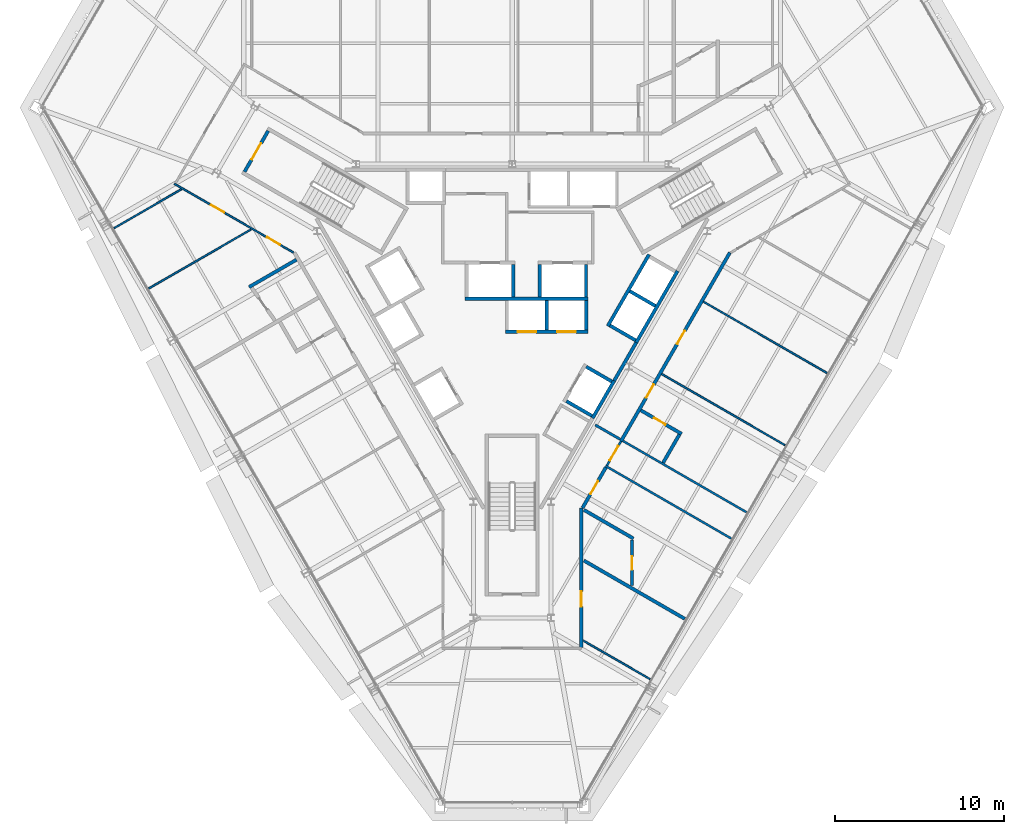
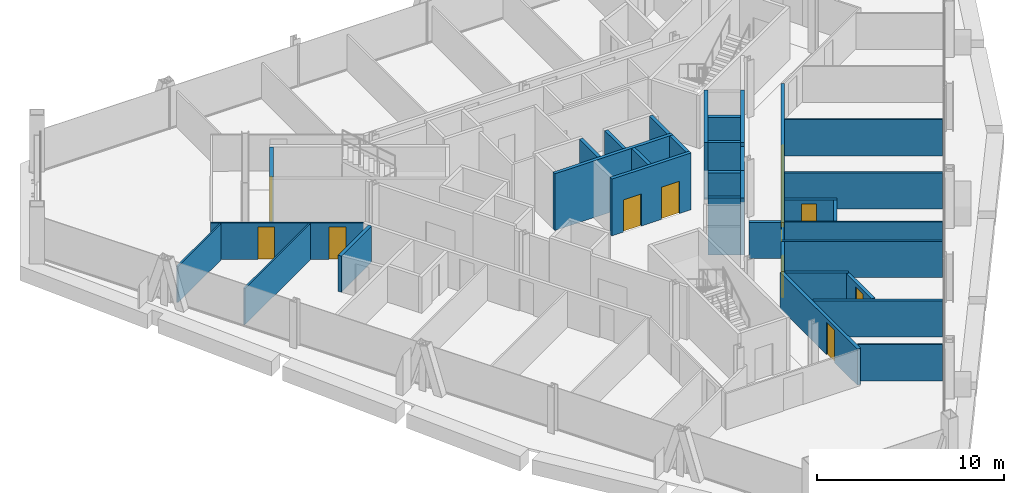
# One storey, part 10 of 14: 35 walls, 12 doors, 12 openings.
"""IFC4 building model written with IfcOpenShell, lengths in metres."""

from ifc_helpers import new_model, si_unit, direction, frame, frame_2d, origin, place, context, subcontext, project, spatial, rectangle, extrude, material, layer, layer_set, type_object, element, fill, save


model = new_model("IFC4")

# Units and contexts
model_context = context("Model", 3, precision=1e-05, world=origin(), true_north=direction((0.0, 1.0)))
body_context = subcontext(model_context, "Body", "Model", "MODEL_VIEW")
ifc_project = project(units=[si_unit("LENGTHUNIT", "METRE"), si_unit("AREAUNIT", "SQUARE_METRE"), si_unit("VOLUMEUNIT", "CUBIC_METRE"), si_unit("PLANEANGLEUNIT", "RADIAN"), si_unit("MASSUNIT", "GRAM", prefix="KILO")], contexts=[model_context])

# Site, building, storey
site_placement = place(None, origin())
site = spatial("IfcSite", under=ifc_project, at=site_placement, CompositionType="ELEMENT")
building_placement = place(site_placement, origin())
building = spatial("IfcBuilding", under=site, at=building_placement, Name="Verrane Prism Tower", CompositionType="ELEMENT")
storey_placement = place(building_placement, frame((0.0, 0.0, 196.89990234375)))
storey = spatial("IfcBuildingStorey", under=building, at=storey_placement, Name="L49", CompositionType="ELEMENT", Elevation=196.89990234375)

# Wall
ifc_material_1 = material(Name="Gypsum board partition", Category="other")
ifc_layer_1 = layer(ifc_material_1, 0.199951171875)
ifc_layer_set_1 = layer_set([ifc_layer_1], Name="CW-200 core boundary wall 2 h")
wall_type_1 = type_object("IfcWallType", Name="CW-200 core boundary wall 2 h", PredefinedType="PARTITIONING", material=ifc_layer_set_1)
wall_1_placement = place(storey_placement, frame((6.0419921875, -4.85498046875, 0.0), z_axis=(0.0, 0.0, 1.0), x_axis=(0.500252727967, 0.865879442048, 0.0)))
element("IfcWall", 1, at=wall_1_placement, inside=storey, type_object=wall_type_1, Name="Core boundary wall CW3-007", PredefinedType="PARTITIONING", context=body_context, shape_type="SweptSolid", body=[
    extrude(rectangle(XDim=2.616943359375, YDim=0.199951171875, at=frame_2d((1.30859375, 0.0))), origin(), (0.0, 0.0, 1.0), 3.4501953125),
])

# Wall, opening, door
ifc_material_2 = material(Name="Concrete C40/50", Category="concrete")
ifc_layer_2 = layer(ifc_material_2, 0.199951171875)
ifc_layer_set_2 = layer_set([ifc_layer_2], Name="CW-200 stair core wall concrete C40/50 3 h")
wall_type_2 = type_object("IfcWallType", Name="CW-200 stair core wall concrete C40/50 3 h", PredefinedType="PARTITIONING", material=ifc_layer_set_2)
wall_2_placement = place(storey_placement, frame((-14.455322265625, 9.96240234375, 0.0), z_axis=(0.0, 0.0, 1.0), x_axis=(-0.500049511043, -0.865996816683, 0.0)))
wall_2 = element("IfcWall", 2, at=wall_2_placement, inside=storey, type_object=wall_type_2, Name="Stair 2 enclosure wall", PredefinedType="PARTITIONING", context=body_context, shape_type="SweptSolid", body=[
    extrude(rectangle(XDim=2.800048828125, YDim=0.199951171875, at=frame_2d((1.39990234375, 0.0))), origin(), (0.0, 0.0, 1.0), 3.4501953125),
])
opening_1_placement = place(wall_2_placement, frame((0.849853515625, 0.0, 0.0)))
opening_1 = element("IfcOpeningElement", 3, at=opening_1_placement, cuts=wall_2, Name="Opening D47501", PredefinedType="OPENING", context=body_context, shape_type="SweptSolid", body=[
    extrude(rectangle(XDim=1.10009765625, YDim=2.10009765625, at=frame_2d((0.550048828125, 1.050048828125))), frame((0.0, 0.10986328125, 0.0), z_axis=(0.0, -1.0, 0.0), x_axis=(1.0, 0.0, 0.0)), (0.0, 0.0, 1.0), 0.219970703125),
])
ifc_material_3 = material(Name="Timber veneered door leaf", Category="wood")
door_type_1 = type_object("IfcDoorType", Name="DR-1100x2100 FD90 single leaf stair", OperationType="NOTDEFINED", PredefinedType="DOOR", material=ifc_material_3)
door_1_placement = place(opening_1_placement, origin())
door_1 = element("IfcDoor", 4, at=door_1_placement, inside=storey, type_object=door_type_1, Name="Stair 2 door", OperationType="SINGLE_SWING_RIGHT", OverallHeight=2.10009765625, OverallWidth=1.10009765625, PredefinedType="DOOR", context=body_context, shape_type="SweptSolid", body=[
    extrude(rectangle(XDim=1.10009765625, YDim=2.10009765625, at=frame_2d((0.550048828125, 1.050048828125))), frame((0.0, 0.02490234375, 0.0), z_axis=(0.0, -1.0, 0.0), x_axis=(1.0, 0.0, 0.0)), (0.0, 0.0, 1.0), 0.050048828125),
])
fill(opening_1, door_1)

# Wall, openings, doors
ifc_material_4 = material(Name="Gypsum board shaft wall assembly", Category="other")
ifc_layer_3 = layer(ifc_material_4, 0.199951171875)
ifc_layer_set_3 = layer_set([ifc_layer_3], Name="HW-200 lift shaft wall 2 h")
wall_type_3 = type_object("IfcWallType", Name="HW-200 lift shaft wall 2 h", PredefinedType="PARTITIONING", material=ifc_layer_set_3)
wall_3_placement = place(storey_placement, frame((-0.405029296875, -1.949951171875, 0.0), z_axis=(0.0, 0.0, 1.0), x_axis=(1.0, 0.0, 0.0)))
wall_3 = element("IfcWall", 5, at=wall_3_placement, inside=storey, type_object=wall_type_3, Name="Lift shaft wall", PredefinedType="PARTITIONING", context=body_context, shape_type="SweptSolid", body=[
    extrude(rectangle(XDim=4.900146484375, YDim=0.199951171875, at=frame_2d((2.4501953125, 0.0))), origin(), (0.0, 0.0, 1.0), 3.7001953125),
])
opening_2_placement = place(wall_3_placement, frame((0.72509765625, 0.0, 0.0)))
opening_2 = element("IfcOpeningElement", 6, at=opening_2_placement, cuts=wall_3, Name="Opening D47503", PredefinedType="OPENING", context=body_context, shape_type="SweptSolid", body=[
    extrude(rectangle(XDim=1.10009765625, YDim=2.10009765625, at=frame_2d((0.550048828125, 1.050048828125))), frame((0.0, 0.10986328125, 0.0), z_axis=(0.0, -1.0, 0.0), x_axis=(1.0, 0.0, 0.0)), (0.0, 0.0, 1.0), 0.219970703125),
])
opening_3_placement = place(wall_3_placement, frame((3.074951171875, 0.0, 0.0)))
opening_3 = element("IfcOpeningElement", 7, at=opening_3_placement, cuts=wall_3, Name="Opening D47504", PredefinedType="OPENING", context=body_context, shape_type="SweptSolid", body=[
    extrude(rectangle(XDim=1.10009765625, YDim=2.10009765625, at=frame_2d((0.550048828125, 1.050048828125))), frame((0.0, 0.10986328125, 0.0), z_axis=(0.0, -1.0, 0.0), x_axis=(1.0, 0.0, 0.0)), (0.0, 0.0, 1.0), 0.219970703125),
])
ifc_material_5 = material(Name="Stainless steel sliding landing door", Category="steel")
door_type_2 = type_object("IfcDoorType", Name="LD-1100x2100 lift landing door FD90 sliding", OperationType="NOTDEFINED", PredefinedType="DOOR", material=ifc_material_5)
door_2_placement = place(opening_2_placement, origin())
door_2 = element("IfcDoor", 8, at=door_2_placement, inside=storey, type_object=door_type_2, Name="Bank B lift 1 landing door", OperationType="SLIDING_TO_LEFT", OverallHeight=2.10009765625, OverallWidth=1.10009765625, PredefinedType="DOOR", context=body_context, shape_type="SweptSolid", body=[
    extrude(rectangle(XDim=1.10009765625, YDim=2.10009765625, at=frame_2d((0.550048828125, 1.050048828125))), frame((0.0, 0.02490234375, 0.0), z_axis=(0.0, -1.0, 0.0), x_axis=(1.0, 0.0, 0.0)), (0.0, 0.0, 1.0), 0.050048828125),
])
fill(opening_2, door_2)
door_3_placement = place(opening_3_placement, origin())
door_3 = element("IfcDoor", 9, at=door_3_placement, inside=storey, type_object=door_type_2, Name="Bank B lift 2 landing door", OperationType="SLIDING_TO_RIGHT", OverallHeight=2.10009765625, OverallWidth=1.10009765625, PredefinedType="DOOR", context=body_context, shape_type="SweptSolid", body=[
    extrude(rectangle(XDim=1.10009765625, YDim=2.10009765625, at=frame_2d((0.550048828125, 1.050048828125))), frame((0.0, 0.02490234375, 0.0), z_axis=(0.0, -1.0, 0.0), x_axis=(1.0, 0.0, 0.0)), (0.0, 0.0, 1.0), 0.050048828125),
])
fill(opening_3, door_3)

# Walls
wall_4_placement = place(storey_placement, frame((-2.784912109375, 0.0, 0.0), z_axis=(0.0, 0.0, 1.0), x_axis=(1.0, 0.0, 0.0)))
element("IfcWall", 10, at=wall_4_placement, inside=storey, type_object=wall_type_3, Name="Lift shaft wall", PredefinedType="PARTITIONING", context=body_context, shape_type="SweptSolid", body=[
    extrude(rectangle(XDim=7.280029296875, YDim=0.199951171875, at=frame_2d((3.64013671875, 0.0))), origin(), (0.0, 0.0, 1.0), 3.7001953125),
])
wall_5_placement = place(storey_placement, frame((4.766357421875, -7.064697265625, 0.0), z_axis=(0.0, 0.0, 1.0), x_axis=(0.499948979701, 0.866054858364, 0.0)))
element("IfcWall", 11, at=wall_5_placement, inside=storey, type_object=wall_type_3, Name="Lift shaft wall", PredefinedType="PARTITIONING", context=body_context, shape_type="SweptSolid", body=[
    extrude(rectangle(XDim=2.550048828125, YDim=0.199951171875, at=frame_2d((1.27490234375, 0.0))), origin(), (0.0, 0.0, 1.0), 3.7001953125),
])
wall_6_placement = place(storey_placement, frame((7.351318359375, -2.587158203125, 0.0), z_axis=(0.0, 0.0, 1.0), x_axis=(0.500002801628, 0.866023786258, 0.0)))
element("IfcWall", 12, at=wall_6_placement, inside=storey, type_object=wall_type_3, Name="Lift shaft wall", PredefinedType="PARTITIONING", context=body_context, shape_type="SweptSolid", body=[
    extrude(rectangle(XDim=4.89990234375, YDim=0.199951171875, at=frame_2d((2.449951171875, 0.0))), origin(), (0.0, 0.0, 1.0), 3.7001953125),
])
wall_7_placement = place(storey_placement, frame((5.66259765625, -1.6123046875, 0.0), z_axis=(0.0, 0.0, 1.0), x_axis=(0.49998122708, 0.866036242063, 0.0)))
element("IfcWall", 13, at=wall_7_placement, inside=storey, type_object=wall_type_3, Name="Lift shaft wall", PredefinedType="PARTITIONING", context=body_context, shape_type="SweptSolid", body=[
    extrude(rectangle(XDim=4.900146484375, YDim=0.199951171875, at=frame_2d((2.4501953125, 0.0))), origin(), (0.0, 0.0, 1.0), 3.7001953125),
])
wall_8_placement = place(storey_placement, frame((4.39501953125, -1.85009765625, 0.0), z_axis=(0.0, 0.0, 1.0), x_axis=(0.0, 1.0, 0.0)))
element("IfcWall", 14, at=wall_8_placement, inside=storey, type_object=wall_type_3, Name="Lift shaft wall", PredefinedType="PARTITIONING", context=body_context, shape_type="SweptSolid", body=[
    extrude(rectangle(XDim=1.75, YDim=0.199951171875, at=frame_2d((0.875, 0.0))), origin(), (0.0, 0.0, 1.0), 3.7001953125),
])
wall_9_placement = place(storey_placement, frame((4.375, 0.10009765625, 0.0), z_axis=(0.0, 0.0, 1.0), x_axis=(0.0, 1.0, 0.0)))
element("IfcWall", 15, at=wall_9_placement, inside=storey, type_object=wall_type_3, Name="Lift shaft wall", PredefinedType="PARTITIONING", context=body_context, shape_type="SweptSolid", body=[
    extrude(rectangle(XDim=1.949951171875, YDim=0.199951171875, at=frame_2d((0.97509765625, 0.0))), origin(), (0.0, 0.0, 1.0), 3.7001953125),
])
wall_10_placement = place(storey_placement, frame((2.044921875, -1.85009765625, 0.0), z_axis=(0.0, 0.0, 1.0), x_axis=(0.0, 1.0, 0.0)))
element("IfcWall", 16, at=wall_10_placement, inside=storey, type_object=wall_type_3, Name="Lift shaft wall", PredefinedType="PARTITIONING", context=body_context, shape_type="SweptSolid", body=[
    extrude(rectangle(XDim=1.75, YDim=0.199951171875, at=frame_2d((0.875, 0.0))), origin(), (0.0, 0.0, 1.0), 3.7001953125),
])
for number, where, z_axis, x_axis, name in (
    (17, (1.625, 0.10009765625, 0.0), (0.0, 0.0, 1.0), (0.0, 1.0, 0.0), "Lift shaft wall"),
    (18, (0.06494140625, 0.10009765625, 0.0), (0.0, 0.0, 1.0), (0.0, 1.0, 0.0), "Lift shaft wall"),
):
    element("IfcWall", number, at=place(storey_placement, frame(where, z_axis=z_axis, x_axis=x_axis)), inside=storey, type_object=wall_type_3, Name=name, PredefinedType="PARTITIONING", context=body_context, shape_type="SweptSolid", body=[
        extrude(rectangle(XDim=1.949951171875, YDim=0.199951171875, at=frame_2d((0.97509765625, 0.0))), origin(), (0.0, 0.0, 1.0), 3.7001953125),
    ])
for number, where, z_axis, x_axis, name in (
    (19, (8.48974609375, -0.41552734375, 0.0), (0.0, 0.0, 1.0), (-0.866036909293, 0.499980071345, 0.0), "Lift shaft wall"),
    (20, (7.314697265625, -2.45068359375, 0.0), (0.0, 0.0, 1.0), (-0.866036909293, 0.499980071345, 0.0), "Lift shaft wall"),
):
    element("IfcWall", number, at=place(storey_placement, frame(where, z_axis=z_axis, x_axis=x_axis)), inside=storey, type_object=wall_type_3, Name=name, PredefinedType="PARTITIONING", context=body_context, shape_type="SweptSolid", body=[
        extrude(rectangle(XDim=1.75, YDim=0.199951171875, at=frame_2d((0.875, 0.0))), origin(), (0.0, 0.0, 1.0), 3.7001953125),
    ])
wall_11_placement = place(storey_placement, frame((5.904541015625, -4.892822265625, 0.0), z_axis=(0.0, 0.0, 1.0), x_axis=(-0.866002029911, 0.500040482552, 0.0)))
element("IfcWall", 21, at=wall_11_placement, inside=storey, type_object=wall_type_3, Name="Lift shaft wall", PredefinedType="PARTITIONING", context=body_context, shape_type="SweptSolid", body=[
    extrude(rectangle(XDim=1.749755859375, YDim=0.199951171875, at=frame_2d((0.875, 0.0))), origin(), (0.0, 0.0, 1.0), 3.7001953125),
])
wall_12_placement = place(storey_placement, frame((4.729736328125, -6.927978515625, 0.0), z_axis=(0.0, 0.0, 1.0), x_axis=(-0.866036909293, 0.499980071345, 0.0)))
element("IfcWall", 22, at=wall_12_placement, inside=storey, type_object=wall_type_3, Name="Lift shaft wall", PredefinedType="PARTITIONING", context=body_context, shape_type="SweptSolid", body=[
    extrude(rectangle(XDim=1.75, YDim=0.199951171875, at=frame_2d((0.875, 0.0))), origin(), (0.0, 0.0, 1.0), 3.7001953125),
])
ifc_material_6 = material(Name="Gypsum board partition", Category="other")
ifc_layer_4 = layer(ifc_material_6, 0.10009765625)
ifc_layer_set_4 = layer_set([ifc_layer_4], Name="PW-100 room partition")
wall_type_4 = type_object("IfcWallType", Name="PW-100 room partition", PredefinedType="PARTITIONING", material=ifc_layer_set_4)
wall_13_placement = place(storey_placement, frame((-23.591796875, 4.19189453125, 0.0), z_axis=(0.0, 0.0, 1.0), x_axis=(0.866056775574, 0.499945658529, 0.0)))
element("IfcWall", 23, at=wall_13_placement, inside=storey, type_object=wall_type_4, Name="Room partition 001", PredefinedType="PARTITIONING", context=body_context, shape_type="SweptSolid", body=[
    extrude(rectangle(XDim=4.60791015625, YDim=0.10009765625, at=frame_2d((2.303955078125, 0.0))), origin(), (0.0, 0.0, 1.0), 2.362060546875),
])
wall_14_placement = place(storey_placement, frame((-21.529541015625, 0.6201171875, 0.0), z_axis=(0.0, 0.0, 1.0), x_axis=(0.865986079307, 0.500068105808, 0.0)))
element("IfcWall", 24, at=wall_14_placement, inside=storey, type_object=wall_type_4, Name="Room partition 002", PredefinedType="PARTITIONING", context=body_context, shape_type="SweptSolid", body=[
    extrude(rectangle(XDim=6.990234375, YDim=0.10009765625, at=frame_2d((3.4951171875, 0.0))), origin(), (0.0, 0.0, 1.0), 2.362060546875),
])

# Wall, openings, doors
wall_15_placement = place(storey_placement, frame((-12.95166015625, 2.744384765625, 0.0), z_axis=(0.0, 0.0, 1.0), x_axis=(-0.86608949446, 0.499888975259, 0.0)))
wall_15 = element("IfcWall", 25, at=wall_15_placement, inside=storey, type_object=wall_type_4, Name="Room partition 004", PredefinedType="PARTITIONING", context=body_context, shape_type="SweptSolid", body=[
    extrude(rectangle(XDim=8.164794921875, YDim=0.10009765625, at=frame_2d((4.08251953125, 0.0))), origin(), (0.0, 0.0, 1.0), 2.362060546875),
])
opening_4_placement = place(wall_15_placement, frame((4.740966796875, 0.0, 0.0)))
opening_4 = element("IfcOpeningElement", 26, at=opening_4_placement, cuts=wall_15, Name="Opening D47019", PredefinedType="OPENING", context=body_context, shape_type="SweptSolid", body=[
    extrude(rectangle(XDim=0.89990234375, YDim=2.10009765625, at=frame_2d((0.449951171875, 1.050048828125))), frame((0.0, 0.06005859375, 0.0), z_axis=(0.0, -1.0, 0.0), x_axis=(1.0, 0.0, 0.0)), (0.0, 0.0, 1.0), 0.1201171875),
])
opening_5_placement = place(wall_15_placement, frame((0.927978515625, 0.0, 0.0)))
opening_5 = element("IfcOpeningElement", 27, at=opening_5_placement, cuts=wall_15, Name="Opening D47020", PredefinedType="OPENING", context=body_context, shape_type="SweptSolid", body=[
    extrude(rectangle(XDim=0.89990234375, YDim=2.10009765625, at=frame_2d((0.449951171875, 1.050048828125))), frame((0.0, 0.06005859375, 0.0), z_axis=(0.0, -1.0, 0.0), x_axis=(1.0, 0.0, 0.0)), (0.0, 0.0, 1.0), 0.1201171875),
])
ifc_material_7 = material(Name="Timber veneered door leaf", Category="wood")
door_type_3 = type_object("IfcDoorType", Name="DR-900x2100 single leaf inner", OperationType="NOTDEFINED", PredefinedType="DOOR", material=ifc_material_7)
door_4_placement = place(opening_5_placement, origin())
door_4 = element("IfcDoor", 28, at=door_4_placement, inside=storey, type_object=door_type_3, Name="Master Bedroom door", OperationType="SINGLE_SWING_LEFT", OverallHeight=2.10009765625, OverallWidth=0.89990234375, PredefinedType="DOOR", context=body_context, shape_type="SweptSolid", body=[
    extrude(rectangle(XDim=0.89990234375, YDim=2.10009765625, at=frame_2d((0.449951171875, 1.050048828125))), frame((0.0, 0.02490234375, 0.0), z_axis=(0.0, -1.0, 0.0), x_axis=(1.0, 0.0, 0.0)), (0.0, 0.0, 1.0), 0.050048828125),
])
fill(opening_5, door_4)
ifc_material_8 = material(Name="Timber veneered door leaf", Category="wood")
door_type_4 = type_object("IfcDoorType", Name="DR-900x2100 single leaf unit", OperationType="NOTDEFINED", PredefinedType="DOOR", material=ifc_material_8)
door_5_placement = place(opening_4_placement, origin())
door_5 = element("IfcDoor", 29, at=door_5_placement, inside=storey, type_object=door_type_4, Name="Kitchen door", OperationType="SINGLE_SWING_RIGHT", OverallHeight=2.10009765625, OverallWidth=0.89990234375, PredefinedType="DOOR", context=body_context, shape_type="SweptSolid", body=[
    extrude(rectangle(XDim=0.89990234375, YDim=2.10009765625, at=frame_2d((0.449951171875, 1.050048828125))), frame((0.0, 0.02490234375, 0.0), z_axis=(0.0, -1.0, 0.0), x_axis=(1.0, 0.0, 0.0)), (0.0, 0.0, 1.0), 0.050048828125),
])
fill(opening_4, door_5)

# Walls
wall_16_placement = place(storey_placement, frame((4.22509765625, -20.252197265625, 0.0), z_axis=(0.0, 0.0, 1.0), x_axis=(0.866048884701, -0.499959327653, 0.0)))
element("IfcWall", 30, at=wall_16_placement, inside=storey, type_object=wall_type_4, Name="Room partition 028", PredefinedType="PARTITIONING", context=body_context, shape_type="SweptSolid", body=[
    extrude(rectangle(XDim=4.55029296875, YDim=0.10009765625, at=frame_2d((2.275146484375, 0.0))), origin(), (0.0, 0.0, 1.0), 2.362060546875),
])
wall_17_placement = place(storey_placement, frame((8.868896484375, -4.451416015625, 0.0), z_axis=(0.0, 0.0, 1.0), x_axis=(0.866027858276, -0.499995748672, 0.0)))
element("IfcWall", 31, at=wall_17_placement, inside=storey, type_object=wall_type_4, Name="Room partition 042", PredefinedType="PARTITIONING", context=body_context, shape_type="SweptSolid", body=[
    extrude(rectangle(XDim=8.4287109375, YDim=0.10009765625, at=frame_2d((4.21435546875, 0.0))), origin(), (0.0, 0.0, 1.0), 2.362060546875),
])
wall_18_placement = place(storey_placement, frame((11.343017578125, -0.16552734375, 0.0), z_axis=(0.0, 0.0, 1.0), x_axis=(0.866022557401, -0.500004930048, 0.0)))
element("IfcWall", 32, at=wall_18_placement, inside=storey, type_object=wall_type_4, Name="Room partition 047", PredefinedType="PARTITIONING", context=body_context, shape_type="SweptSolid", body=[
    extrude(rectangle(XDim=8.42919921875, YDim=0.10009765625, at=frame_2d((4.214599609375, 0.0))), origin(), (0.0, 0.0, 1.0), 2.362060546875),
])

# Wall, opening, door
ifc_material_9 = material(Name="Gypsum board partition", Category="other")
ifc_layer_5 = layer(ifc_material_9, 0.125)
ifc_layer_set_5 = layer_set([ifc_layer_5], Name="PW-125 corridor wall 1 h")
wall_type_5 = type_object("IfcWallType", Name="PW-125 corridor wall 1 h", PredefinedType="PARTITIONING", material=ifc_layer_set_5)
wall_19_placement = place(storey_placement, frame((5.61962890625, -9.86962890625, 0.0), z_axis=(0.0, 0.0, 1.0), x_axis=(0.500142759665, 0.865942965763, 0.0)))
wall_19 = element("IfcWall", 33, at=wall_19_placement, inside=storey, type_object=wall_type_5, Name="Corridor wall 034", PredefinedType="PARTITIONING", context=body_context, shape_type="SweptSolid", body=[
    extrude(rectangle(XDim=1.6591796875, YDim=0.125, at=frame_2d((0.82958984375, 0.0))), origin(), (0.0, 0.0, 1.0), 2.362060546875),
])
opening_6_placement = place(wall_19_placement, frame((0.3349609375, 0.0, 0.0)))
opening_6 = element("IfcOpeningElement", 34, at=opening_6_placement, cuts=wall_19, Name="Opening D47028", PredefinedType="OPENING", context=body_context, shape_type="SweptSolid", body=[
    extrude(rectangle(XDim=1.0, YDim=2.10009765625, at=frame_2d((0.5, 1.050048828125))), frame((0.0, 0.072509765625, 0.0), z_axis=(0.0, -1.0, 0.0), x_axis=(1.0, 0.0, 0.0)), (0.0, 0.0, 1.0), 0.14501953125),
])
ifc_material_10 = material(Name="Timber veneered door leaf", Category="wood")
door_type_5 = type_object("IfcDoorType", Name="DR-1000x2100 FD20 single leaf unit", OperationType="NOTDEFINED", PredefinedType="DOOR", material=ifc_material_10)
door_6_placement = place(opening_6_placement, origin())
door_6 = element("IfcDoor", 35, at=door_6_placement, inside=storey, type_object=door_type_5, Name="Entrance Hall door", OperationType="SINGLE_SWING_RIGHT", OverallHeight=2.10009765625, OverallWidth=1.0, PredefinedType="DOOR", context=body_context, shape_type="SweptSolid", body=[
    extrude(rectangle(XDim=1.0, YDim=2.10009765625, at=frame_2d((0.5, 1.050048828125))), frame((0.0, 0.02490234375, 0.0), z_axis=(0.0, -1.0, 0.0), x_axis=(1.0, 0.0, 0.0)), (0.0, 0.0, 1.0), 0.050048828125),
])
fill(opening_6, door_6)

# Walls
wall_20_placement = place(storey_placement, frame((5.532958984375, -9.894775390625, 0.0), z_axis=(0.0, 0.0, 1.0), x_axis=(0.865995449608, -0.500051878567, 0.0)))
element("IfcWall", 36, at=wall_20_placement, inside=storey, type_object=wall_type_5, Name="Corridor wall 035", PredefinedType="PARTITIONING", context=body_context, shape_type="SweptSolid", body=[
    extrude(rectangle(XDim=8.59619140625, YDim=0.125, at=frame_2d((4.298095703125, 0.0))), origin(), (0.0, 0.0, 1.0), 2.362060546875),
])
wall_21_placement = place(storey_placement, frame((6.57568359375, -8.419189453125, 0.0), z_axis=(0.0, 0.0, 1.0), x_axis=(0.866048155274, -0.499960591193, 0.0)))
element("IfcWall", 37, at=wall_21_placement, inside=storey, type_object=wall_type_5, Name="Corridor wall 037", PredefinedType="PARTITIONING", context=body_context, shape_type="SweptSolid", body=[
    extrude(rectangle(XDim=8.430908203125, YDim=0.125, at=frame_2d((4.21533203125, 0.0))), origin(), (0.0, 0.0, 1.0), 2.362060546875),
])
ifc_material_11 = material(Name="Gypsum board partition", Category="other")
ifc_layer_6 = layer(ifc_material_11, 0.14990234375)
ifc_layer_set_6 = layer_set([ifc_layer_6], Name="PW-150 demising wall 1 h")
wall_type_6 = type_object("IfcWallType", Name="PW-150 demising wall 1 h", PredefinedType="PARTITIONING", material=ifc_layer_set_6)
wall_22_placement = place(storey_placement, frame((4.927978515625, -7.468017578125, 0.0), z_axis=(0.0, 0.0, 1.0), x_axis=(0.866075426483, -0.499913348133, 0.0)))
element("IfcWall", 38, at=wall_22_placement, inside=storey, type_object=wall_type_6, Name="Demising wall 033", PredefinedType="PARTITIONING", context=body_context, shape_type="SweptSolid", body=[
    extrude(rectangle(XDim=1.697509765625, YDim=0.14990234375, at=frame_2d((0.8486328125, 0.0))), origin(), (0.0, 0.0, 1.0), 2.362060546875),
])
ifc_material_12 = material(Name="Gypsum board partition", Category="other")
ifc_layer_7 = layer(ifc_material_12, 0.199951171875)
ifc_layer_set_7 = layer_set([ifc_layer_7], Name="PW-200 plumbing wall")
wall_type_7 = type_object("IfcWallType", Name="PW-200 plumbing wall", PredefinedType="PARTITIONING", material=ifc_layer_set_7)
wall_23_placement = place(storey_placement, frame((-15.588623046875, 0.702880859375, 0.0), z_axis=(0.0, 0.0, 1.0), x_axis=(0.86594479446, 0.500139593461, 0.0)))
element("IfcWall", 39, at=wall_23_placement, inside=storey, type_object=wall_type_7, Name="Plumbing wall 009", PredefinedType="PARTITIONING", context=body_context, shape_type="SweptSolid", body=[
    extrude(rectangle(XDim=3.2421875, YDim=0.199951171875, at=frame_2d((1.62109375, 0.0))), origin(), (0.0, 0.0, 1.0), 2.362060546875),
])

# Wall, opening, door
wall_24_placement = place(storey_placement, frame((4.10009765625, -12.402099609375, 0.0), z_axis=(0.0, 0.0, 1.0), x_axis=(0.0, -1.0, 0.0)))
wall_24 = element("IfcWall", 40, at=wall_24_placement, inside=storey, type_object=wall_type_7, Name="Plumbing wall 027", PredefinedType="PARTITIONING", context=body_context, shape_type="SweptSolid", body=[
    extrude(rectangle(XDim=8.247802734375, YDim=0.199951171875, at=frame_2d((4.1240234375, 0.0))), origin(), (0.0, 0.0, 1.0), 2.362060546875),
])
opening_7_placement = place(wall_24_placement, frame((4.927978515625, 0.0, 0.0)))
opening_7 = element("IfcOpeningElement", 41, at=opening_7_placement, cuts=wall_24, Name="Opening D47001", PredefinedType="OPENING", context=body_context, shape_type="SweptSolid", body=[
    extrude(rectangle(XDim=0.89990234375, YDim=2.10009765625, at=frame_2d((0.449951171875, 1.050048828125))), frame((0.0, 0.10986328125, 0.0), z_axis=(0.0, -1.0, 0.0), x_axis=(1.0, 0.0, 0.0)), (0.0, 0.0, 1.0), 0.219970703125),
])
door_7_placement = place(opening_7_placement, origin())
door_7 = element("IfcDoor", 42, at=door_7_placement, inside=storey, type_object=door_type_4, Name="Kitchen door", OperationType="SINGLE_SWING_RIGHT", OverallHeight=2.10009765625, OverallWidth=0.89990234375, PredefinedType="DOOR", context=body_context, shape_type="SweptSolid", body=[
    extrude(rectangle(XDim=0.89990234375, YDim=2.10009765625, at=frame_2d((0.449951171875, 1.050048828125))), frame((0.0, 0.02490234375, 0.0), z_axis=(0.0, -1.0, 0.0), x_axis=(1.0, 0.0, 0.0)), (0.0, 0.0, 1.0), 0.050048828125),
])
fill(opening_7, door_7)

# Wall
wall_25_placement = place(storey_placement, frame((4.25, -15.503662109375, 0.0), z_axis=(0.0, 0.0, 1.0), x_axis=(0.866025383743, -0.500000034713, 0.0)))
element("IfcWall", 43, at=wall_25_placement, inside=storey, type_object=wall_type_7, Name="Plumbing wall 029", PredefinedType="PARTITIONING", context=body_context, shape_type="SweptSolid", body=[
    extrude(rectangle(XDim=6.90283203125, YDim=0.199951171875, at=frame_2d((3.451416015625, 0.0))), origin(), (0.0, 0.0, 1.0), 2.362060546875),
])

# Wall, opening, door
wall_26_placement = place(storey_placement, frame((5.5556640625, -9.980224609375, 0.0), z_axis=(0.0, 0.0, 1.0), x_axis=(-0.499940639567, -0.866059672834, 0.0)))
wall_26 = element("IfcWall", 44, at=wall_26_placement, inside=storey, type_object=wall_type_7, Name="Plumbing wall 030", PredefinedType="PARTITIONING", context=body_context, shape_type="SweptSolid", body=[
    extrude(rectangle(XDim=2.776611328125, YDim=0.199951171875, at=frame_2d((1.38818359375, 0.0))), origin(), (0.0, 0.0, 1.0), 2.362060546875),
])
opening_8_placement = place(wall_26_placement, frame((0.936767578125, 0.0, 0.0)))
opening_8 = element("IfcOpeningElement", 45, at=opening_8_placement, cuts=wall_26, Name="Opening D47002", PredefinedType="OPENING", context=body_context, shape_type="SweptSolid", body=[
    extrude(rectangle(XDim=0.89990234375, YDim=2.10009765625, at=frame_2d((0.449951171875, 1.050048828125))), frame((0.0, 0.10986328125, 0.0), z_axis=(0.0, -1.0, 0.0), x_axis=(1.0, 0.0, 0.0)), (0.0, 0.0, 1.0), 0.219970703125),
])
door_8_placement = place(opening_8_placement, origin())
door_8 = element("IfcDoor", 46, at=door_8_placement, inside=storey, type_object=door_type_3, Name="Master Bedroom door", OperationType="SINGLE_SWING_LEFT", OverallHeight=2.10009765625, OverallWidth=0.89990234375, PredefinedType="DOOR", context=body_context, shape_type="SweptSolid", body=[
    extrude(rectangle(XDim=0.89990234375, YDim=2.10009765625, at=frame_2d((0.449951171875, 1.050048828125))), frame((0.0, 0.02490234375, 0.0), z_axis=(0.0, -1.0, 0.0), x_axis=(1.0, 0.0, 0.0)), (0.0, 0.0, 1.0), 0.050048828125),
])
fill(opening_8, door_8)

# Wall
wall_27_placement = place(storey_placement, frame((4.25048828125, -12.501953125, 0.0), z_axis=(0.0, 0.0, 1.0), x_axis=(0.866032087317, -0.499988423603, 0.0)))
element("IfcWall", 47, at=wall_27_placement, inside=storey, type_object=wall_type_7, Name="Plumbing wall 031", PredefinedType="PARTITIONING", context=body_context, shape_type="SweptSolid", body=[
    extrude(rectangle(XDim=3.39013671875, YDim=0.199951171875, at=frame_2d((1.695068359375, 0.0))), origin(), (0.0, 0.0, 1.0), 2.362060546875),
])

# Wall, openings, doors
wall_28_placement = place(storey_placement, frame((12.903076171875, 2.745361328125, 0.0), z_axis=(0.0, 0.0, 1.0), x_axis=(-0.499992063946, -0.866029985619, 0.0)))
wall_28 = element("IfcWall", 48, at=wall_28_placement, inside=storey, type_object=wall_type_7, Name="Plumbing wall 036", PredefinedType="PARTITIONING", context=body_context, shape_type="SweptSolid", body=[
    extrude(rectangle(XDim=12.907470703125, YDim=0.199951171875, at=frame_2d((6.45361328125, 0.0))), origin(), (0.0, 0.0, 1.0), 2.362060546875),
])
opening_9_placement = place(wall_28_placement, frame((9.032470703125, 0.0, 0.0)))
opening_9 = element("IfcOpeningElement", 49, at=opening_9_placement, cuts=wall_28, Name="Opening D47004", PredefinedType="OPENING", context=body_context, shape_type="SweptSolid", body=[
    extrude(rectangle(XDim=0.89990234375, YDim=2.10009765625, at=frame_2d((0.449951171875, 1.050048828125))), frame((0.0, 0.10986328125, 0.0), z_axis=(0.0, -1.0, 0.0), x_axis=(1.0, 0.0, 0.0)), (0.0, 0.0, 1.0), 0.219970703125),
])
opening_10_placement = place(wall_28_placement, frame((5.349365234375, 0.0, 0.0)))
opening_10 = element("IfcOpeningElement", 50, at=opening_10_placement, cuts=wall_28, Name="Opening D47006", PredefinedType="OPENING", context=body_context, shape_type="SweptSolid", body=[
    extrude(rectangle(XDim=0.89990234375, YDim=2.10009765625, at=frame_2d((0.449951171875, 1.050048828125))), frame((0.0, 0.10986328125, 0.0), z_axis=(0.0, -1.0, 0.0), x_axis=(1.0, 0.0, 0.0)), (0.0, 0.0, 1.0), 0.219970703125),
])
door_9_placement = place(opening_9_placement, origin())
door_9 = element("IfcDoor", 51, at=door_9_placement, inside=storey, type_object=door_type_3, Name="Bedroom door", OperationType="SINGLE_SWING_LEFT", OverallHeight=2.10009765625, OverallWidth=0.89990234375, PredefinedType="DOOR", context=body_context, shape_type="SweptSolid", body=[
    extrude(rectangle(XDim=0.89990234375, YDim=2.10009765625, at=frame_2d((0.449951171875, 1.050048828125))), frame((0.0, 0.02490234375, 0.0), z_axis=(0.0, -1.0, 0.0), x_axis=(1.0, 0.0, 0.0)), (0.0, 0.0, 1.0), 0.050048828125),
])
fill(opening_9, door_9)
door_10_placement = place(opening_10_placement, origin())
door_10 = element("IfcDoor", 52, at=door_10_placement, inside=storey, type_object=door_type_4, Name="Study door", OperationType="SINGLE_SWING_LEFT", OverallHeight=2.10009765625, OverallWidth=0.89990234375, PredefinedType="DOOR", context=body_context, shape_type="SweptSolid", body=[
    extrude(rectangle(XDim=0.89990234375, YDim=2.10009765625, at=frame_2d((0.449951171875, 1.050048828125))), frame((0.0, 0.02490234375, 0.0), z_axis=(0.0, -1.0, 0.0), x_axis=(1.0, 0.0, 0.0)), (0.0, 0.0, 1.0), 0.050048828125),
])
fill(opening_10, door_10)

# Wall, opening, door
wall_29_placement = place(storey_placement, frame((7.10009765625, -16.976806640625, 0.0), z_axis=(0.0, 0.0, 1.0), x_axis=(0.0, 1.0, 0.0)))
wall_29 = element("IfcWall", 53, at=wall_29_placement, inside=storey, type_object=wall_type_7, Name="Plumbing wall 038", PredefinedType="PARTITIONING", context=body_context, shape_type="SweptSolid", body=[
    extrude(rectangle(XDim=2.69482421875, YDim=0.199951171875, at=frame_2d((1.347412109375, 0.0))), origin(), (0.0, 0.0, 1.0), 2.362060546875),
])
opening_11_placement = place(wall_29_placement, frame((0.9267578125, 0.0, 0.0)))
opening_11 = element("IfcOpeningElement", 54, at=opening_11_placement, cuts=wall_29, Name="Opening D47003", PredefinedType="OPENING", context=body_context, shape_type="SweptSolid", body=[
    extrude(rectangle(XDim=0.800048828125, YDim=2.10009765625, at=frame_2d((0.39990234375, 1.050048828125))), frame((0.0, 0.10986328125, 0.0), z_axis=(0.0, -1.0, 0.0), x_axis=(1.0, 0.0, 0.0)), (0.0, 0.0, 1.0), 0.219970703125),
])
ifc_material_13 = material(Name="Timber veneered door leaf", Category="wood")
door_type_6 = type_object("IfcDoorType", Name="DR-800x2100 single leaf bath", OperationType="NOTDEFINED", PredefinedType="DOOR", material=ifc_material_13)
door_11_placement = place(opening_11_placement, origin())
door_11 = element("IfcDoor", 55, at=door_11_placement, inside=storey, type_object=door_type_6, Name="Master Bathroom door", OperationType="SINGLE_SWING_LEFT", OverallHeight=2.10009765625, OverallWidth=0.800048828125, PredefinedType="DOOR", context=body_context, shape_type="SweptSolid", body=[
    extrude(rectangle(XDim=0.800048828125, YDim=2.10009765625, at=frame_2d((0.39990234375, 1.050048828125))), frame((0.0, 0.02490234375, 0.0), z_axis=(0.0, -1.0, 0.0), x_axis=(1.0, 0.0, 0.0)), (0.0, 0.0, 1.0), 0.050048828125),
])
fill(opening_11, door_11)

wall_30_placement = place(storey_placement, frame((10.048583984375, -7.9990234375, 0.0), z_axis=(0.0, 0.0, 1.0), x_axis=(-0.866041588165, 0.499971966783, 0.0)))
wall_30 = element("IfcWall", 56, at=wall_30_placement, inside=storey, type_object=wall_type_7, Name="Plumbing wall 041", PredefinedType="PARTITIONING", context=body_context, shape_type="SweptSolid", body=[
    extrude(rectangle(XDim=2.795166015625, YDim=0.199951171875, at=frame_2d((1.3974609375, 0.0))), origin(), (0.0, 0.0, 1.0), 2.362060546875),
])
opening_12_placement = place(wall_30_placement, frame((1.10009765625, 0.0, 0.0)))
opening_12 = element("IfcOpeningElement", 57, at=opening_12_placement, cuts=wall_30, Name="Opening D47005", PredefinedType="OPENING", context=body_context, shape_type="SweptSolid", body=[
    extrude(rectangle(XDim=0.800048828125, YDim=2.10009765625, at=frame_2d((0.39990234375, 1.050048828125))), frame((0.0, 0.10986328125, 0.0), z_axis=(0.0, -1.0, 0.0), x_axis=(1.0, 0.0, 0.0)), (0.0, 0.0, 1.0), 0.219970703125),
])
door_12_placement = place(opening_12_placement, origin())
door_12 = element("IfcDoor", 58, at=door_12_placement, inside=storey, type_object=door_type_6, Name="Bathroom door", OperationType="SINGLE_SWING_RIGHT", OverallHeight=2.10009765625, OverallWidth=0.800048828125, PredefinedType="DOOR", context=body_context, shape_type="SweptSolid", body=[
    extrude(rectangle(XDim=0.800048828125, YDim=2.10009765625, at=frame_2d((0.39990234375, 1.050048828125))), frame((0.0, 0.02490234375, 0.0), z_axis=(0.0, -1.0, 0.0), x_axis=(1.0, 0.0, 0.0)), (0.0, 0.0, 1.0), 0.050048828125),
])
fill(opening_12, door_12)

# Wall
wall_31_placement = place(storey_placement, frame((8.94580078125, -9.70947265625, 0.0), z_axis=(0.0, 0.0, 1.0), x_axis=(0.499970304126, 0.866042548026, 0.0)))
element("IfcWall", 59, at=wall_31_placement, inside=storey, type_object=wall_type_7, Name="Plumbing wall 044", PredefinedType="PARTITIONING", context=body_context, shape_type="SweptSolid", body=[
    extrude(rectangle(XDim=1.9326171875, YDim=0.199951171875, at=frame_2d((0.96630859375, 0.0))), origin(), (0.0, 0.0, 1.0), 2.362060546875),
])

save(model, "model.ifc")
